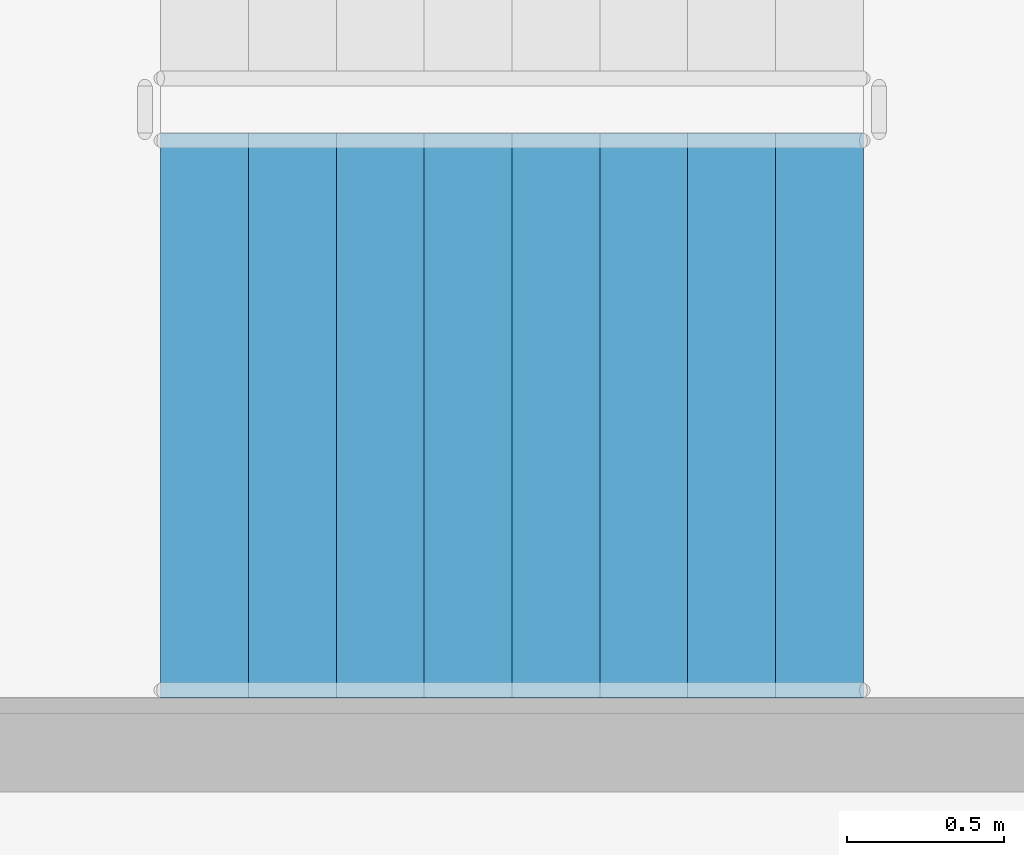
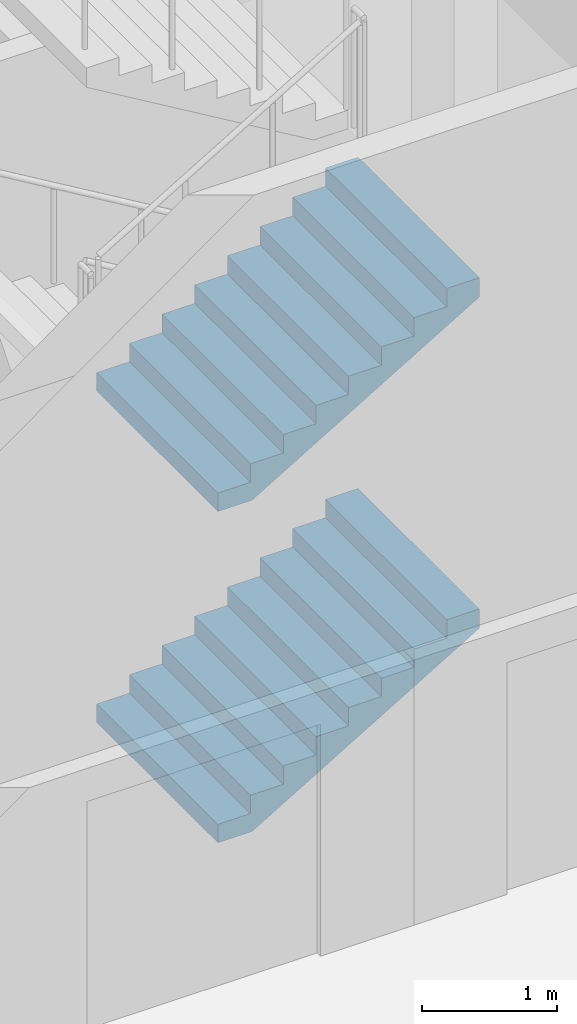
# One storey, part 23 of 39: 2 stair flights, 1 element without a shape of its own.
"""IFC4 building model written with IfcOpenShell, lengths in metres."""

from ifc_helpers import new_model, si_unit, direction, frame, origin, place, context, subcontext, project, spatial, triangles, material, type_object, element, aggregate, save


model = new_model("IFC4")

# Units and contexts
model_context = context("Model", 3, precision=1e-05, world=origin(), true_north=direction((0.0, 1.0)))
body_context = subcontext(model_context, "Body", "Model", "MODEL_VIEW")
ifc_project = project(units=[si_unit("LENGTHUNIT", "METRE"), si_unit("AREAUNIT", "SQUARE_METRE"), si_unit("VOLUMEUNIT", "CUBIC_METRE"), si_unit("PLANEANGLEUNIT", "RADIAN"), si_unit("MASSUNIT", "GRAM", prefix="KILO")], contexts=[model_context])

# Site, building, storey
site_placement = place(None, origin())
site = spatial("IfcSite", under=ifc_project, at=site_placement, CompositionType="ELEMENT")
building_placement = place(site_placement, origin())
building = spatial("IfcBuilding", under=site, at=building_placement, Name="Magnolia Steps Interchange", CompositionType="ELEMENT")
storey_placement = place(building_placement, frame((0.0, 0.0, -11.39990234375)))
storey = spatial("IfcBuildingStorey", under=building, at=storey_placement, Name="B2", CompositionType="ELEMENT", Elevation=-11.39990234375)

# Stair, stair flights
ifc_material_1 = material(Name="Concrete C40", Category="concrete")
stair_type = type_object("IfcStairType", Name="Exit stair 1800", PredefinedType="HALF_TURN_STAIR", material=ifc_material_1)
stair_placement = place(storey_placement, origin())
stair = element("IfcStair", 1, at=stair_placement, inside=storey, type_object=stair_type, Name="B2 Stair 14", PredefinedType="HALF_TURN_STAIR")
ifc_material_2 = material(Name="Concrete C40", Category="concrete")
stair_flight_type = type_object("IfcStairFlightType", Name="Exit stair flight", PredefinedType="STRAIGHT", material=ifc_material_2)
stair_flight_1_placement = place(storey_placement, frame((156.875, 61.074951171875, 0.0), z_axis=(0.0, 0.0, 1.0), x_axis=(1.0, 0.0, 0.0)))
stair_flight_1 = element("IfcStairFlight", 2, at=stair_flight_1_placement, type_object=stair_flight_type, Name="Stair 14 flight 1", NumberOfRisers=9, NumberOfTreads=8, PredefinedType="STRAIGHT", RiserHeight=0.166666667, TreadLength=0.28, context=body_context, shape_type="Tessellation", body=[
    triangles([(0.0, -0.9000244140625, 0.0), (0.29296875, -0.9000244140625, 0.0), (2.239990234375, -0.9000244140625, 1.158935546875), (2.239990234375, -0.9000244140625, 1.333251953125), (1.9599609375, -0.9000244140625, 1.333251953125), (1.9599609375, -0.9000244140625, 1.166748046875), (1.679931640625, -0.9000244140625, 1.166748046875), (1.679931640625, -0.9000244140625, 1.0), (1.39990234375, -0.9000244140625, 1.0), (1.39990234375, -0.9000244140625, 0.833251953125), (1.1201171875, -0.9000244140625, 0.833251953125), (1.1201171875, -0.9000244140625, 0.666748046875), (0.840087890625, -0.9000244140625, 0.666748046875), (0.840087890625, -0.9000244140625, 0.5), (0.56005859375, -0.9000244140625, 0.5), (0.56005859375, -0.9000244140625, 0.333251953125), (0.280029296875, -0.9000244140625, 0.333251953125), (0.280029296875, -0.9000244140625, 0.166748046875), (0.0, -0.9000244140625, 0.166748046875), (0.0, 0.9000244140625, 0.0), (0.29296875, 0.9000244140625, 0.0), (2.239990234375, 0.9000244140625, 1.158935546875), (2.239990234375, 0.9000244140625, 1.333251953125), (1.9599609375, 0.9000244140625, 1.333251953125), (1.9599609375, 0.9000244140625, 1.166748046875), (1.679931640625, 0.9000244140625, 1.166748046875), (1.679931640625, 0.9000244140625, 1.0), (1.39990234375, 0.9000244140625, 1.0), (1.39990234375, 0.9000244140625, 0.833251953125), (1.1201171875, 0.9000244140625, 0.833251953125), (1.1201171875, 0.9000244140625, 0.666748046875), (0.840087890625, 0.9000244140625, 0.666748046875), (0.840087890625, 0.9000244140625, 0.5), (0.56005859375, 0.9000244140625, 0.5), (0.56005859375, 0.9000244140625, 0.333251953125), (0.280029296875, 0.9000244140625, 0.333251953125), (0.280029296875, 0.9000244140625, 0.166748046875), (0.0, 0.9000244140625, 0.166748046875), (0.0, 0.0, 0.0), (0.0, 0.0, 0.04168701171875), (0.0, 0.0, 0.0833740234375), (0.0, 0.0, 0.12506103515625), (0.0, 0.0, 0.166748046875), (0.0, -0.05, 0.0), (0.0, -0.05, 0.166748046875), (0.0, 0.05, 0.0), (0.0, 0.05, 0.166748046875), (0.046671549479166664, 0.0, 0.166748046875), (0.09334309895833333, 0.0, 0.166748046875), (0.1400146484375, 0.0, 0.166748046875), (0.18668619791666666, 0.0, 0.166748046875), (0.23335774739583334, 0.0, 0.166748046875), (0.280029296875, 0.0, 0.166748046875), (0.280029296875, -0.05, 0.166748046875), (0.280029296875, 0.05, 0.166748046875), (0.280029296875, 0.0, 0.2083740234375), (0.280029296875, 0.0, 0.25), (0.280029296875, 0.0, 0.2916259765625), (0.280029296875, 0.0, 0.333251953125), (0.280029296875, -0.05, 0.333251953125), (0.280029296875, 0.05, 0.333251953125), (0.3267008463541667, 0.0, 0.333251953125), (0.3733723958333333, 0.0, 0.333251953125), (0.4200439453125, 0.0, 0.333251953125), (0.46671549479166663, 0.0, 0.333251953125), (0.5133870442708334, 0.0, 0.333251953125), (0.56005859375, 0.0, 0.333251953125), (0.56005859375, -0.05, 0.333251953125), (0.56005859375, 0.05, 0.333251953125), (0.56005859375, 0.0, 0.37493896484375), (0.56005859375, 0.0, 0.4166259765625), (0.56005859375, 0.0, 0.45831298828125), (0.56005859375, 0.0, 0.5), (0.56005859375, -0.05, 0.5), (0.56005859375, 0.05, 0.5), (0.6067301432291666, 0.0, 0.5), (0.6534016927083334, 0.0, 0.5), (0.7000732421875, 0.0, 0.5), (0.7467447916666666, 0.0, 0.5), (0.7934163411458334, 0.0, 0.5), (0.840087890625, 0.0, 0.5), (0.840087890625, -0.05, 0.5), (0.840087890625, 0.05, 0.5), (0.840087890625, 0.0, 0.54168701171875), (0.840087890625, 0.0, 0.5833740234375), (0.840087890625, 0.0, 0.62506103515625), (0.840087890625, 0.0, 0.666748046875), (0.840087890625, -0.05, 0.666748046875), (0.840087890625, 0.05, 0.666748046875), (0.8867594401041666, 0.0, 0.666748046875), (0.9334309895833334, 0.0, 0.666748046875), (0.9801025390625, 0.0, 0.666748046875), (1.0267740885416667, 0.0, 0.666748046875), (1.0734456380208333, 0.0, 0.666748046875), (1.1201171875, 0.0, 0.666748046875), (1.1201171875, -0.05, 0.666748046875), (1.1201171875, 0.05, 0.666748046875), (1.1201171875, 0.0, 0.7083740234375), (1.1201171875, 0.0, 0.75), (1.1201171875, 0.0, 0.7916259765625), (1.1201171875, 0.0, 0.833251953125), (1.1201171875, -0.05, 0.833251953125), (1.1201171875, 0.05, 0.833251953125), (1.1900634765625, 0.0, 0.833251953125), (1.260009765625, 0.0, 0.833251953125), (1.3299560546875, 0.0, 0.833251953125), (1.39990234375, 0.0, 0.833251953125), (1.39990234375, -0.05, 0.833251953125), (1.39990234375, 0.05, 0.833251953125), (1.39990234375, 0.0, 0.87493896484375), (1.39990234375, 0.0, 0.9166259765625), (1.39990234375, 0.0, 0.95831298828125), (1.39990234375, 0.0, 1.0), (1.39990234375, -0.05, 1.0), (1.39990234375, 0.05, 1.0), (1.4465738932291667, 0.0, 1.0), (1.4932454427083333, 0.0, 1.0), (1.5399169921875, 0.0, 1.0), (1.5865885416666667, 0.0, 1.0), (1.6332600911458333, 0.0, 1.0), (1.679931640625, 0.0, 1.0), (1.679931640625, -0.05, 1.0), (1.679931640625, 0.05, 1.0), (1.679931640625, 0.0, 1.04168701171875), (1.679931640625, 0.0, 1.0833740234375), (1.679931640625, 0.0, 1.12506103515625), (1.679931640625, 0.0, 1.166748046875), (1.679931640625, -0.05, 1.166748046875), (1.679931640625, 0.05, 1.166748046875), (1.7266031901041667, 0.0, 1.166748046875), (1.7732747395833333, 0.0, 1.166748046875), (1.8199462890625, 0.0, 1.166748046875), (1.8666178385416667, 0.0, 1.166748046875), (1.9132893880208333, 0.0, 1.166748046875), (1.9599609375, 0.0, 1.166748046875), (1.9599609375, -0.05, 1.166748046875), (1.9599609375, 0.05, 1.166748046875), (1.9599609375, 0.0, 1.2083740234375), (1.9599609375, 0.0, 1.25), (1.9599609375, 0.0, 1.2916259765625), (1.9599609375, 0.0, 1.333251953125), (1.9599609375, -0.05, 1.333251953125), (1.9599609375, 0.05, 1.333251953125), (2.0066324869791665, 0.0, 1.333251953125), (2.0533040364583335, 0.0, 1.333251953125), (2.0999755859375, 0.0, 1.333251953125), (2.1466471354166665, 0.0, 1.333251953125), (2.1933186848958335, 0.0, 1.333251953125), (2.239990234375, 0.0, 1.333251953125), (2.239990234375, -0.05, 1.333251953125), (2.239990234375, 0.05, 1.333251953125), (2.239990234375, 0.0, 1.2896728515625), (2.239990234375, 0.0, 1.24609375), (2.239990234375, 0.0, 1.2025146484375), (2.239990234375, 0.0, 1.158935546875), (2.239990234375, -0.05, 1.158935546875), (2.239990234375, 0.05, 1.158935546875), (2.1827248965992645, 0.0, 1.1248492072610294), (2.1254595588235294, 0.0, 1.0907628676470589), (2.068194221047794, 0.0, 1.0566765280330883), (2.010928883272059, 0.0, 1.0225901884191178), (1.9536635454963236, 0.0, 0.9885038488051471), (1.8963982077205883, 0.0, 0.9544175091911764), (1.8391328699448528, 0.0, 0.9203311695772058), (1.7818675321691178, 0.0, 0.8862448299632353), (1.7246021943933822, 0.0, 0.8521584903492647), (1.6673368566176472, 0.0, 0.8180721507352942), (1.6100715188419117, 0.0, 0.7839858111213236), (1.5528061810661766, 0.0, 0.7498994715073529), (1.4955408432904411, 0.0, 0.7158131318933824), (1.4382755055147058, 0.0, 0.6817267922794117), (1.3810101677389706, 0.0, 0.6476404526654411), (1.3237448299632353, 0.0, 0.6135541130514706), (1.2664794921875, 0.0, 0.5794677734375), (1.2092141544117647, 0.0, 0.5453814338235294), (1.1519488166360294, 0.0, 0.5112950942095589), (1.0946834788602942, 0.0, 0.4772087545955882), (1.0374181410845589, 0.0, 0.44312241498161764), (0.9801528033088236, 0.0, 0.4090360753676471), (0.9228874655330883, 0.0, 0.3749497357536765), (0.865622127757353, 0.0, 0.34086339613970584), (0.8083567899816178, 0.0, 0.3067770565257353), (0.7510914522058822, 0.0, 0.2726907169117647), (0.693826114430147, 0.0, 0.23860437729779416), (0.6365607766544117, 0.0, 0.20451803768382348), (0.5792954388786764, 0.0, 0.17043169806985292), (0.5220301011029411, 0.0, 0.13634535845588225), (0.46476476332720584, 0.0, 0.10225901884191169), (0.40749942555147056, 0.0, 0.06817267922794112), (0.3502340877757353, 0.0, 0.03408633961397056), (0.29296875, 0.0, 0.0), (0.29296875, -0.05, 0.0), (0.29296875, 0.05, 0.0), (0.244140625, 0.0, 0.0), (0.1953125, 0.0, 0.0), (0.146484375, 0.0, 0.0), (0.09765625, 0.0, 0.0), (0.048828125, 0.0, 0.0)], [[1, 2, 3], [3, 4, 5], [3, 5, 6], [3, 6, 7], [3, 7, 8], [8, 9, 10], [3, 8, 10], [10, 11, 12], [3, 10, 12], [12, 13, 14], [3, 12, 14], [14, 15, 16], [3, 14, 16], [1, 3, 16], [16, 17, 18], [1, 16, 18], [18, 19, 1], [20, 22, 21], [22, 24, 23], [22, 25, 24], [22, 26, 25], [22, 27, 26], [27, 29, 28], [22, 29, 27], [29, 31, 30], [22, 31, 29], [31, 33, 32], [22, 33, 31], [33, 35, 34], [22, 35, 33], [20, 35, 22], [35, 37, 36], [20, 37, 35], [37, 20, 38], [1, 19, 45], [1, 45, 44], [44, 40, 39], [44, 41, 40], [44, 45, 41], [45, 42, 41], [45, 43, 42], [20, 47, 38], [20, 46, 47], [46, 39, 40], [46, 40, 41], [46, 41, 47], [47, 41, 42], [47, 42, 43], [19, 18, 54], [19, 54, 45], [45, 48, 43], [45, 49, 48], [45, 50, 49], [45, 54, 50], [54, 51, 50], [54, 52, 51], [54, 53, 52], [38, 55, 37], [38, 47, 55], [47, 43, 48], [47, 48, 49], [47, 49, 50], [47, 50, 55], [55, 50, 51], [55, 51, 52], [55, 52, 53], [18, 17, 60], [18, 60, 54], [54, 56, 53], [54, 57, 56], [54, 60, 57], [60, 58, 57], [60, 59, 58], [37, 61, 36], [37, 55, 61], [55, 53, 56], [55, 56, 57], [55, 57, 61], [61, 57, 58], [61, 58, 59], [17, 16, 68], [17, 68, 60], [60, 62, 59], [60, 63, 62], [60, 64, 63], [60, 68, 64], [68, 65, 64], [68, 66, 65], [68, 67, 66], [36, 69, 35], [36, 61, 69], [61, 59, 62], [61, 62, 63], [61, 63, 64], [61, 64, 69], [69, 64, 65], [69, 65, 66], [69, 66, 67], [16, 15, 74], [16, 74, 68], [68, 70, 67], [68, 71, 70], [68, 74, 71], [74, 72, 71], [74, 73, 72], [35, 75, 34], [35, 69, 75], [69, 67, 70], [69, 70, 71], [69, 71, 75], [75, 71, 72], [75, 72, 73], [15, 14, 82], [15, 82, 74], [74, 76, 73], [74, 77, 76], [74, 78, 77], [74, 82, 78], [82, 79, 78], [82, 80, 79], [82, 81, 80], [34, 83, 33], [34, 75, 83], [75, 73, 76], [75, 76, 77], [75, 77, 78], [75, 78, 83], [83, 78, 79], [83, 79, 80], [83, 80, 81], [14, 13, 88], [14, 88, 82], [82, 84, 81], [82, 85, 84], [82, 88, 85], [88, 86, 85], [88, 87, 86], [33, 89, 32], [33, 83, 89], [83, 81, 84], [83, 84, 85], [83, 85, 89], [89, 85, 86], [89, 86, 87], [13, 12, 96], [13, 96, 88], [88, 90, 87], [88, 91, 90], [88, 92, 91], [88, 96, 92], [96, 93, 92], [96, 94, 93], [96, 95, 94], [32, 97, 31], [32, 89, 97], [89, 87, 90], [89, 90, 91], [89, 91, 92], [89, 92, 97], [97, 92, 93], [97, 93, 94], [97, 94, 95], [12, 11, 102], [12, 102, 96], [96, 98, 95], [96, 99, 98], [96, 102, 99], [102, 100, 99], [102, 101, 100], [31, 103, 30], [31, 97, 103], [97, 95, 98], [97, 98, 99], [97, 99, 103], [103, 99, 100], [103, 100, 101], [11, 10, 108], [11, 108, 102], [102, 104, 101], [102, 105, 104], [102, 108, 105], [108, 106, 105], [108, 107, 106], [30, 109, 29], [30, 103, 109], [103, 101, 104], [103, 104, 105], [103, 105, 109], [109, 105, 106], [109, 106, 107], [10, 9, 114], [10, 114, 108], [108, 110, 107], [108, 111, 110], [108, 114, 111], [114, 112, 111], [114, 113, 112], [29, 115, 28], [29, 109, 115], [109, 107, 110], [109, 110, 111], [109, 111, 115], [115, 111, 112], [115, 112, 113], [9, 8, 122], [9, 122, 114], [114, 116, 113], [114, 117, 116], [114, 118, 117], [114, 122, 118], [122, 119, 118], [122, 120, 119], [122, 121, 120], [28, 123, 27], [28, 115, 123], [115, 113, 116], [115, 116, 117], [115, 117, 118], [115, 118, 123], [123, 118, 119], [123, 119, 120], [123, 120, 121], [8, 7, 128], [8, 128, 122], [122, 124, 121], [122, 125, 124], [122, 128, 125], [128, 126, 125], [128, 127, 126], [27, 129, 26], [27, 123, 129], [123, 121, 124], [123, 124, 125], [123, 125, 129], [129, 125, 126], [129, 126, 127], [7, 6, 136], [7, 136, 128], [128, 130, 127], [128, 131, 130], [128, 132, 131], [128, 136, 132], [136, 133, 132], [136, 134, 133], [136, 135, 134], [26, 137, 25], [26, 129, 137], [129, 127, 130], [129, 130, 131], [129, 131, 132], [129, 132, 137], [137, 132, 133], [137, 133, 134], [137, 134, 135], [6, 5, 142], [6, 142, 136], [136, 138, 135], [136, 139, 138], [136, 142, 139], [142, 140, 139], [142, 141, 140], [25, 143, 24], [25, 137, 143], [137, 135, 138], [137, 138, 139], [137, 139, 143], [143, 139, 140], [143, 140, 141], [5, 4, 150], [5, 150, 142], [142, 144, 141], [142, 145, 144], [142, 146, 145], [142, 150, 146], [150, 147, 146], [150, 148, 147], [150, 149, 148], [24, 151, 23], [24, 143, 151], [143, 141, 144], [143, 144, 145], [143, 145, 146], [143, 146, 151], [151, 146, 147], [151, 147, 148], [151, 148, 149], [4, 3, 156], [4, 156, 150], [150, 152, 149], [150, 153, 152], [150, 156, 153], [156, 154, 153], [156, 155, 154], [23, 157, 22], [23, 151, 157], [151, 149, 152], [151, 152, 153], [151, 153, 157], [157, 153, 154], [157, 154, 155], [3, 2, 192], [3, 192, 156], [156, 158, 155], [156, 159, 158], [156, 160, 159], [156, 161, 160], [156, 162, 161], [156, 163, 162], [156, 164, 163], [156, 165, 164], [156, 166, 165], [156, 167, 166], [156, 168, 167], [156, 169, 168], [156, 170, 169], [156, 171, 170], [156, 172, 171], [156, 173, 172], [156, 174, 173], [156, 192, 174], [192, 175, 174], [192, 176, 175], [192, 177, 176], [192, 178, 177], [192, 179, 178], [192, 180, 179], [192, 181, 180], [192, 182, 181], [192, 183, 182], [192, 184, 183], [192, 185, 184], [192, 186, 185], [192, 187, 186], [192, 188, 187], [192, 189, 188], [192, 190, 189], [192, 191, 190], [22, 193, 21], [22, 157, 193], [157, 155, 158], [157, 158, 159], [157, 159, 160], [157, 160, 161], [157, 161, 162], [157, 162, 163], [157, 163, 164], [157, 164, 165], [157, 165, 166], [157, 166, 167], [157, 167, 168], [157, 168, 169], [157, 169, 170], [157, 170, 171], [157, 171, 172], [157, 172, 173], [157, 173, 174], [157, 174, 193], [193, 174, 175], [193, 175, 176], [193, 176, 177], [193, 177, 178], [193, 178, 179], [193, 179, 180], [193, 180, 181], [193, 181, 182], [193, 182, 183], [193, 183, 184], [193, 184, 185], [193, 185, 186], [193, 186, 187], [193, 187, 188], [193, 188, 189], [193, 189, 190], [193, 190, 191], [2, 1, 44], [2, 44, 192], [192, 194, 191], [192, 195, 194], [192, 196, 195], [192, 44, 196], [44, 197, 196], [44, 198, 197], [44, 39, 198], [21, 46, 20], [21, 193, 46], [193, 191, 194], [193, 194, 195], [193, 195, 196], [193, 196, 46], [46, 196, 197], [46, 197, 198], [46, 198, 39]], closed=True),
])
stair_flight_2_placement = place(storey_placement, frame((156.875, 61.074951171875, 3.0), z_axis=(0.0, 0.0, 1.0), x_axis=(1.0, 0.0, 0.0)))
stair_flight_2 = element("IfcStairFlight", 3, at=stair_flight_2_placement, type_object=stair_flight_type, Name="Stair 14 flight 3", NumberOfRisers=9, NumberOfTreads=8, PredefinedType="STRAIGHT", RiserHeight=0.166666667, TreadLength=0.28, context=body_context, shape_type="Tessellation", body=[
    triangles([(0.0, -0.9000244140625, 0.0), (0.29296875, -0.9000244140625, 0.0), (2.239990234375, -0.9000244140625, 1.158935546875), (2.239990234375, -0.9000244140625, 1.333251953125), (1.9599609375, -0.9000244140625, 1.333251953125), (1.9599609375, -0.9000244140625, 1.166748046875), (1.679931640625, -0.9000244140625, 1.166748046875), (1.679931640625, -0.9000244140625, 1.0), (1.39990234375, -0.9000244140625, 1.0), (1.39990234375, -0.9000244140625, 0.833251953125), (1.1201171875, -0.9000244140625, 0.833251953125), (1.1201171875, -0.9000244140625, 0.666748046875), (0.840087890625, -0.9000244140625, 0.666748046875), (0.840087890625, -0.9000244140625, 0.5), (0.56005859375, -0.9000244140625, 0.5), (0.56005859375, -0.9000244140625, 0.333251953125), (0.280029296875, -0.9000244140625, 0.333251953125), (0.280029296875, -0.9000244140625, 0.166748046875), (0.0, -0.9000244140625, 0.166748046875), (0.0, 0.9000244140625, 0.0), (0.29296875, 0.9000244140625, 0.0), (2.239990234375, 0.9000244140625, 1.158935546875), (2.239990234375, 0.9000244140625, 1.333251953125), (1.9599609375, 0.9000244140625, 1.333251953125), (1.9599609375, 0.9000244140625, 1.166748046875), (1.679931640625, 0.9000244140625, 1.166748046875), (1.679931640625, 0.9000244140625, 1.0), (1.39990234375, 0.9000244140625, 1.0), (1.39990234375, 0.9000244140625, 0.833251953125), (1.1201171875, 0.9000244140625, 0.833251953125), (1.1201171875, 0.9000244140625, 0.666748046875), (0.840087890625, 0.9000244140625, 0.666748046875), (0.840087890625, 0.9000244140625, 0.5), (0.56005859375, 0.9000244140625, 0.5), (0.56005859375, 0.9000244140625, 0.333251953125), (0.280029296875, 0.9000244140625, 0.333251953125), (0.280029296875, 0.9000244140625, 0.166748046875), (0.0, 0.9000244140625, 0.166748046875), (0.0, 0.0, 0.0), (0.0, 0.0, 0.04168701171875), (0.0, 0.0, 0.0833740234375), (0.0, 0.0, 0.12506103515625), (0.0, 0.0, 0.166748046875), (0.0, -0.05, 0.0), (0.0, -0.05, 0.166748046875), (0.0, 0.05, 0.0), (0.0, 0.05, 0.166748046875), (0.046671549479166664, 0.0, 0.166748046875), (0.09334309895833333, 0.0, 0.166748046875), (0.1400146484375, 0.0, 0.166748046875), (0.18668619791666666, 0.0, 0.166748046875), (0.23335774739583334, 0.0, 0.166748046875), (0.280029296875, 0.0, 0.166748046875), (0.280029296875, -0.05, 0.166748046875), (0.280029296875, 0.05, 0.166748046875), (0.280029296875, 0.0, 0.2083740234375), (0.280029296875, 0.0, 0.25), (0.280029296875, 0.0, 0.2916259765625), (0.280029296875, 0.0, 0.333251953125), (0.280029296875, -0.05, 0.333251953125), (0.280029296875, 0.05, 0.333251953125), (0.3267008463541667, 0.0, 0.333251953125), (0.3733723958333333, 0.0, 0.333251953125), (0.4200439453125, 0.0, 0.333251953125), (0.46671549479166663, 0.0, 0.333251953125), (0.5133870442708334, 0.0, 0.333251953125), (0.56005859375, 0.0, 0.333251953125), (0.56005859375, -0.05, 0.333251953125), (0.56005859375, 0.05, 0.333251953125), (0.56005859375, 0.0, 0.37493896484375), (0.56005859375, 0.0, 0.4166259765625), (0.56005859375, 0.0, 0.45831298828125), (0.56005859375, 0.0, 0.5), (0.56005859375, -0.05, 0.5), (0.56005859375, 0.05, 0.5), (0.6067301432291666, 0.0, 0.5), (0.6534016927083334, 0.0, 0.5), (0.7000732421875, 0.0, 0.5), (0.7467447916666666, 0.0, 0.5), (0.7934163411458334, 0.0, 0.5), (0.840087890625, 0.0, 0.5), (0.840087890625, -0.05, 0.5), (0.840087890625, 0.05, 0.5), (0.840087890625, 0.0, 0.54168701171875), (0.840087890625, 0.0, 0.5833740234375), (0.840087890625, 0.0, 0.62506103515625), (0.840087890625, 0.0, 0.666748046875), (0.840087890625, -0.05, 0.666748046875), (0.840087890625, 0.05, 0.666748046875), (0.8867594401041666, 0.0, 0.666748046875), (0.9334309895833334, 0.0, 0.666748046875), (0.9801025390625, 0.0, 0.666748046875), (1.0267740885416667, 0.0, 0.666748046875), (1.0734456380208333, 0.0, 0.666748046875), (1.1201171875, 0.0, 0.666748046875), (1.1201171875, -0.05, 0.666748046875), (1.1201171875, 0.05, 0.666748046875), (1.1201171875, 0.0, 0.7083740234375), (1.1201171875, 0.0, 0.75), (1.1201171875, 0.0, 0.7916259765625), (1.1201171875, 0.0, 0.833251953125), (1.1201171875, -0.05, 0.833251953125), (1.1201171875, 0.05, 0.833251953125), (1.1900634765625, 0.0, 0.833251953125), (1.260009765625, 0.0, 0.833251953125), (1.3299560546875, 0.0, 0.833251953125), (1.39990234375, 0.0, 0.833251953125), (1.39990234375, -0.05, 0.833251953125), (1.39990234375, 0.05, 0.833251953125), (1.39990234375, 0.0, 0.87493896484375), (1.39990234375, 0.0, 0.9166259765625), (1.39990234375, 0.0, 0.95831298828125), (1.39990234375, 0.0, 1.0), (1.39990234375, -0.05, 1.0), (1.39990234375, 0.05, 1.0), (1.4465738932291667, 0.0, 1.0), (1.4932454427083333, 0.0, 1.0), (1.5399169921875, 0.0, 1.0), (1.5865885416666667, 0.0, 1.0), (1.6332600911458333, 0.0, 1.0), (1.679931640625, 0.0, 1.0), (1.679931640625, -0.05, 1.0), (1.679931640625, 0.05, 1.0), (1.679931640625, 0.0, 1.04168701171875), (1.679931640625, 0.0, 1.0833740234375), (1.679931640625, 0.0, 1.12506103515625), (1.679931640625, 0.0, 1.166748046875), (1.679931640625, -0.05, 1.166748046875), (1.679931640625, 0.05, 1.166748046875), (1.7266031901041667, 0.0, 1.166748046875), (1.7732747395833333, 0.0, 1.166748046875), (1.8199462890625, 0.0, 1.166748046875), (1.8666178385416667, 0.0, 1.166748046875), (1.9132893880208333, 0.0, 1.166748046875), (1.9599609375, 0.0, 1.166748046875), (1.9599609375, -0.05, 1.166748046875), (1.9599609375, 0.05, 1.166748046875), (1.9599609375, 0.0, 1.2083740234375), (1.9599609375, 0.0, 1.25), (1.9599609375, 0.0, 1.2916259765625), (1.9599609375, 0.0, 1.333251953125), (1.9599609375, -0.05, 1.333251953125), (1.9599609375, 0.05, 1.333251953125), (2.0066324869791665, 0.0, 1.333251953125), (2.0533040364583335, 0.0, 1.333251953125), (2.0999755859375, 0.0, 1.333251953125), (2.1466471354166665, 0.0, 1.333251953125), (2.1933186848958335, 0.0, 1.333251953125), (2.239990234375, 0.0, 1.333251953125), (2.239990234375, -0.05, 1.333251953125), (2.239990234375, 0.05, 1.333251953125), (2.239990234375, 0.0, 1.2896728515625), (2.239990234375, 0.0, 1.24609375), (2.239990234375, 0.0, 1.2025146484375), (2.239990234375, 0.0, 1.158935546875), (2.239990234375, -0.05, 1.158935546875), (2.239990234375, 0.05, 1.158935546875), (2.1827248965992645, 0.0, 1.1248492072610294), (2.1254595588235294, 0.0, 1.0907628676470589), (2.068194221047794, 0.0, 1.0566765280330883), (2.010928883272059, 0.0, 1.0225901884191178), (1.9536635454963236, 0.0, 0.9885038488051471), (1.8963982077205883, 0.0, 0.9544175091911764), (1.8391328699448528, 0.0, 0.9203311695772058), (1.7818675321691178, 0.0, 0.8862448299632353), (1.7246021943933822, 0.0, 0.8521584903492647), (1.6673368566176472, 0.0, 0.8180721507352942), (1.6100715188419117, 0.0, 0.7839858111213236), (1.5528061810661766, 0.0, 0.7498994715073529), (1.4955408432904411, 0.0, 0.7158131318933824), (1.4382755055147058, 0.0, 0.6817267922794117), (1.3810101677389706, 0.0, 0.6476404526654411), (1.3237448299632353, 0.0, 0.6135541130514706), (1.2664794921875, 0.0, 0.5794677734375), (1.2092141544117647, 0.0, 0.5453814338235294), (1.1519488166360294, 0.0, 0.5112950942095589), (1.0946834788602942, 0.0, 0.4772087545955882), (1.0374181410845589, 0.0, 0.44312241498161764), (0.9801528033088236, 0.0, 0.4090360753676471), (0.9228874655330883, 0.0, 0.3749497357536765), (0.865622127757353, 0.0, 0.34086339613970584), (0.8083567899816178, 0.0, 0.3067770565257353), (0.7510914522058822, 0.0, 0.2726907169117647), (0.693826114430147, 0.0, 0.23860437729779416), (0.6365607766544117, 0.0, 0.20451803768382348), (0.5792954388786764, 0.0, 0.17043169806985292), (0.5220301011029411, 0.0, 0.13634535845588225), (0.46476476332720584, 0.0, 0.10225901884191169), (0.40749942555147056, 0.0, 0.06817267922794112), (0.3502340877757353, 0.0, 0.03408633961397056), (0.29296875, 0.0, 0.0), (0.29296875, -0.05, 0.0), (0.29296875, 0.05, 0.0), (0.244140625, 0.0, 0.0), (0.1953125, 0.0, 0.0), (0.146484375, 0.0, 0.0), (0.09765625, 0.0, 0.0), (0.048828125, 0.0, 0.0)], [[1, 2, 3], [3, 4, 5], [3, 5, 6], [3, 6, 7], [3, 7, 8], [8, 9, 10], [3, 8, 10], [10, 11, 12], [3, 10, 12], [12, 13, 14], [3, 12, 14], [14, 15, 16], [3, 14, 16], [1, 3, 16], [16, 17, 18], [1, 16, 18], [18, 19, 1], [20, 22, 21], [22, 24, 23], [22, 25, 24], [22, 26, 25], [22, 27, 26], [27, 29, 28], [22, 29, 27], [29, 31, 30], [22, 31, 29], [31, 33, 32], [22, 33, 31], [33, 35, 34], [22, 35, 33], [20, 35, 22], [35, 37, 36], [20, 37, 35], [37, 20, 38], [1, 19, 45], [1, 45, 44], [44, 40, 39], [44, 41, 40], [44, 45, 41], [45, 42, 41], [45, 43, 42], [20, 47, 38], [20, 46, 47], [46, 39, 40], [46, 40, 41], [46, 41, 47], [47, 41, 42], [47, 42, 43], [19, 18, 54], [19, 54, 45], [45, 48, 43], [45, 49, 48], [45, 50, 49], [45, 54, 50], [54, 51, 50], [54, 52, 51], [54, 53, 52], [38, 55, 37], [38, 47, 55], [47, 43, 48], [47, 48, 49], [47, 49, 50], [47, 50, 55], [55, 50, 51], [55, 51, 52], [55, 52, 53], [18, 17, 60], [18, 60, 54], [54, 56, 53], [54, 57, 56], [54, 60, 57], [60, 58, 57], [60, 59, 58], [37, 61, 36], [37, 55, 61], [55, 53, 56], [55, 56, 57], [55, 57, 61], [61, 57, 58], [61, 58, 59], [17, 16, 68], [17, 68, 60], [60, 62, 59], [60, 63, 62], [60, 64, 63], [60, 68, 64], [68, 65, 64], [68, 66, 65], [68, 67, 66], [36, 69, 35], [36, 61, 69], [61, 59, 62], [61, 62, 63], [61, 63, 64], [61, 64, 69], [69, 64, 65], [69, 65, 66], [69, 66, 67], [16, 15, 74], [16, 74, 68], [68, 70, 67], [68, 71, 70], [68, 74, 71], [74, 72, 71], [74, 73, 72], [35, 75, 34], [35, 69, 75], [69, 67, 70], [69, 70, 71], [69, 71, 75], [75, 71, 72], [75, 72, 73], [15, 14, 82], [15, 82, 74], [74, 76, 73], [74, 77, 76], [74, 78, 77], [74, 82, 78], [82, 79, 78], [82, 80, 79], [82, 81, 80], [34, 83, 33], [34, 75, 83], [75, 73, 76], [75, 76, 77], [75, 77, 78], [75, 78, 83], [83, 78, 79], [83, 79, 80], [83, 80, 81], [14, 13, 88], [14, 88, 82], [82, 84, 81], [82, 85, 84], [82, 88, 85], [88, 86, 85], [88, 87, 86], [33, 89, 32], [33, 83, 89], [83, 81, 84], [83, 84, 85], [83, 85, 89], [89, 85, 86], [89, 86, 87], [13, 12, 96], [13, 96, 88], [88, 90, 87], [88, 91, 90], [88, 92, 91], [88, 96, 92], [96, 93, 92], [96, 94, 93], [96, 95, 94], [32, 97, 31], [32, 89, 97], [89, 87, 90], [89, 90, 91], [89, 91, 92], [89, 92, 97], [97, 92, 93], [97, 93, 94], [97, 94, 95], [12, 11, 102], [12, 102, 96], [96, 98, 95], [96, 99, 98], [96, 102, 99], [102, 100, 99], [102, 101, 100], [31, 103, 30], [31, 97, 103], [97, 95, 98], [97, 98, 99], [97, 99, 103], [103, 99, 100], [103, 100, 101], [11, 10, 108], [11, 108, 102], [102, 104, 101], [102, 105, 104], [102, 108, 105], [108, 106, 105], [108, 107, 106], [30, 109, 29], [30, 103, 109], [103, 101, 104], [103, 104, 105], [103, 105, 109], [109, 105, 106], [109, 106, 107], [10, 9, 114], [10, 114, 108], [108, 110, 107], [108, 111, 110], [108, 114, 111], [114, 112, 111], [114, 113, 112], [29, 115, 28], [29, 109, 115], [109, 107, 110], [109, 110, 111], [109, 111, 115], [115, 111, 112], [115, 112, 113], [9, 8, 122], [9, 122, 114], [114, 116, 113], [114, 117, 116], [114, 118, 117], [114, 122, 118], [122, 119, 118], [122, 120, 119], [122, 121, 120], [28, 123, 27], [28, 115, 123], [115, 113, 116], [115, 116, 117], [115, 117, 118], [115, 118, 123], [123, 118, 119], [123, 119, 120], [123, 120, 121], [8, 7, 128], [8, 128, 122], [122, 124, 121], [122, 125, 124], [122, 128, 125], [128, 126, 125], [128, 127, 126], [27, 129, 26], [27, 123, 129], [123, 121, 124], [123, 124, 125], [123, 125, 129], [129, 125, 126], [129, 126, 127], [7, 6, 136], [7, 136, 128], [128, 130, 127], [128, 131, 130], [128, 132, 131], [128, 136, 132], [136, 133, 132], [136, 134, 133], [136, 135, 134], [26, 137, 25], [26, 129, 137], [129, 127, 130], [129, 130, 131], [129, 131, 132], [129, 132, 137], [137, 132, 133], [137, 133, 134], [137, 134, 135], [6, 5, 142], [6, 142, 136], [136, 138, 135], [136, 139, 138], [136, 142, 139], [142, 140, 139], [142, 141, 140], [25, 143, 24], [25, 137, 143], [137, 135, 138], [137, 138, 139], [137, 139, 143], [143, 139, 140], [143, 140, 141], [5, 4, 150], [5, 150, 142], [142, 144, 141], [142, 145, 144], [142, 146, 145], [142, 150, 146], [150, 147, 146], [150, 148, 147], [150, 149, 148], [24, 151, 23], [24, 143, 151], [143, 141, 144], [143, 144, 145], [143, 145, 146], [143, 146, 151], [151, 146, 147], [151, 147, 148], [151, 148, 149], [4, 3, 156], [4, 156, 150], [150, 152, 149], [150, 153, 152], [150, 156, 153], [156, 154, 153], [156, 155, 154], [23, 157, 22], [23, 151, 157], [151, 149, 152], [151, 152, 153], [151, 153, 157], [157, 153, 154], [157, 154, 155], [3, 2, 192], [3, 192, 156], [156, 158, 155], [156, 159, 158], [156, 160, 159], [156, 161, 160], [156, 162, 161], [156, 163, 162], [156, 164, 163], [156, 165, 164], [156, 166, 165], [156, 167, 166], [156, 168, 167], [156, 169, 168], [156, 170, 169], [156, 171, 170], [156, 172, 171], [156, 173, 172], [156, 174, 173], [156, 192, 174], [192, 175, 174], [192, 176, 175], [192, 177, 176], [192, 178, 177], [192, 179, 178], [192, 180, 179], [192, 181, 180], [192, 182, 181], [192, 183, 182], [192, 184, 183], [192, 185, 184], [192, 186, 185], [192, 187, 186], [192, 188, 187], [192, 189, 188], [192, 190, 189], [192, 191, 190], [22, 193, 21], [22, 157, 193], [157, 155, 158], [157, 158, 159], [157, 159, 160], [157, 160, 161], [157, 161, 162], [157, 162, 163], [157, 163, 164], [157, 164, 165], [157, 165, 166], [157, 166, 167], [157, 167, 168], [157, 168, 169], [157, 169, 170], [157, 170, 171], [157, 171, 172], [157, 172, 173], [157, 173, 174], [157, 174, 193], [193, 174, 175], [193, 175, 176], [193, 176, 177], [193, 177, 178], [193, 178, 179], [193, 179, 180], [193, 180, 181], [193, 181, 182], [193, 182, 183], [193, 183, 184], [193, 184, 185], [193, 185, 186], [193, 186, 187], [193, 187, 188], [193, 188, 189], [193, 189, 190], [193, 190, 191], [2, 1, 44], [2, 44, 192], [192, 194, 191], [192, 195, 194], [192, 196, 195], [192, 44, 196], [44, 197, 196], [44, 198, 197], [44, 39, 198], [21, 46, 20], [21, 193, 46], [193, 191, 194], [193, 194, 195], [193, 195, 196], [193, 196, 46], [46, 196, 197], [46, 197, 198], [46, 198, 39]], closed=True),
])
aggregate(stair, [stair_flight_1, stair_flight_2])

save(model, "model.ifc")
